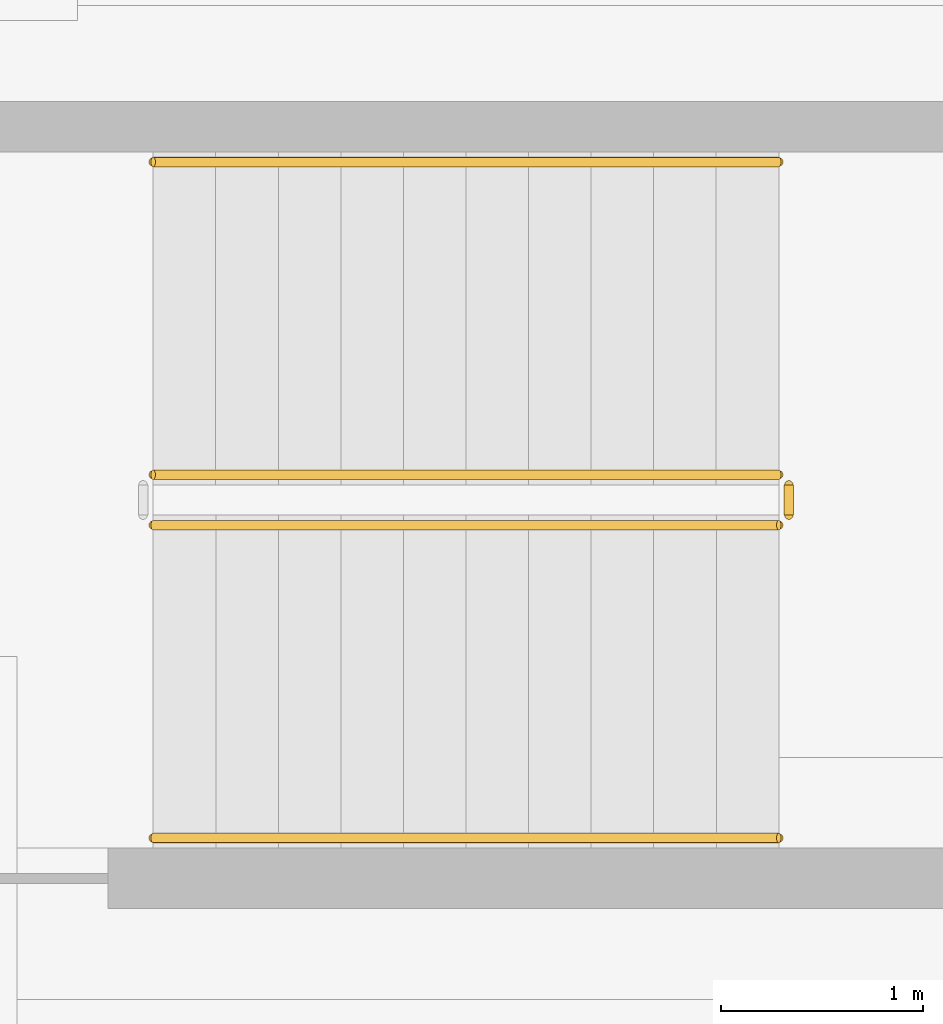
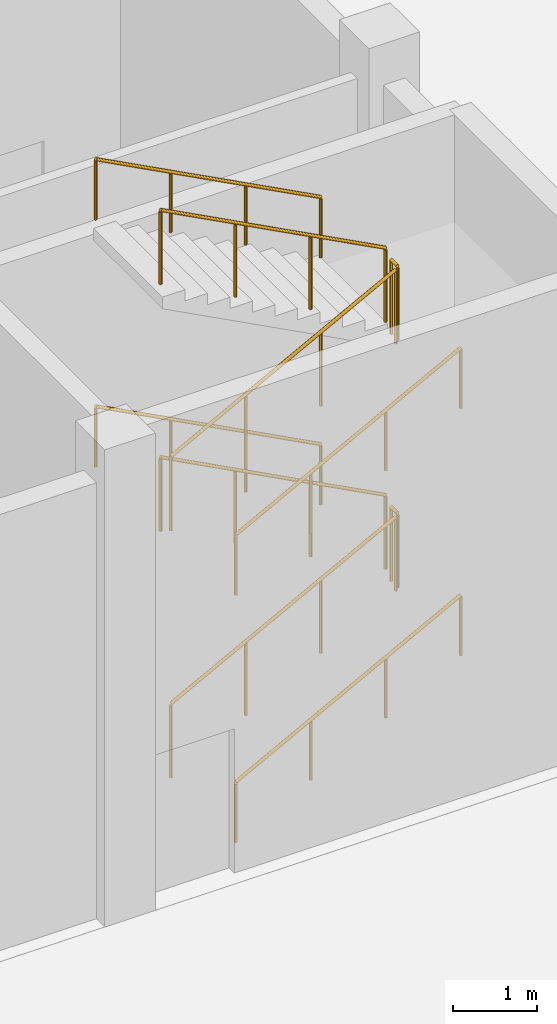
# One storey, part 28 of 30: 10 railings.
"""IFC4 building model written with IfcOpenShell, lengths in metres."""

from ifc_helpers import new_model, si_unit, direction, frame, origin, origin_2d, place, context, subcontext, project, spatial, circle, extrude, material, type_object, element, save


model = new_model("IFC4")

# Units and contexts
model_context = context("Model", 3, precision=1e-05, world=origin(), true_north=direction((0.0, 1.0)))
body_context = subcontext(model_context, "Body", "Model", "MODEL_VIEW")
ifc_project = project(units=[si_unit("LENGTHUNIT", "METRE"), si_unit("AREAUNIT", "SQUARE_METRE"), si_unit("VOLUMEUNIT", "CUBIC_METRE"), si_unit("PLANEANGLEUNIT", "RADIAN"), si_unit("MASSUNIT", "GRAM", prefix="KILO")], contexts=[model_context])

# Site, building, storey
site_placement = place(None, origin())
site = spatial("IfcSite", under=ifc_project, at=site_placement, CompositionType="ELEMENT")
building_placement = place(site_placement, origin())
building = spatial("IfcBuilding", under=site, at=building_placement, Name="Corbel Stack Research Tower", CompositionType="ELEMENT")
storey_placement = place(building_placement, origin())
storey = spatial("IfcBuildingStorey", under=building, at=storey_placement, Name="L00", CompositionType="ELEMENT", Elevation=0.0)

# Railings
ifc_material_1 = material(Name="Steel S235", Category="steel")
railing_type_1 = type_object("IfcRailingType", Name="HR1 guard 1100", PredefinedType="GUARDRAIL", material=ifc_material_1)
railing_1_placement = place(storey_placement, frame((95.47509765625, -21.89990234375, 0.16357421875)))
element("IfcRailing", 1, at=railing_1_placement, inside=storey, type_object=railing_type_1, Name="L00 HS3 stair guard 1", PredefinedType="GUARDRAIL", context=body_context, shape_type="SweptSolid", body=[
    extrude(circle(Radius=0.02392578125, at=origin_2d()), frame((0.0, 0.0, 1.076171875), z_axis=(0.884332836415, 0.0, 0.466856974284), x_axis=(0.0, 1.0, 0.0)), (0.0, 0.0, 1.0), 3.50537109375),
    extrude(circle(Radius=0.02099609375, at=origin_2d()), origin(), (0.0, 0.0, 1.0), 1.052001953125),
    extrude(circle(Radius=0.02099609375, at=origin_2d()), frame((1.033203125, 0.0, 0.54541015625)), (0.0, 0.0, 1.0), 1.052001953125),
    extrude(circle(Radius=0.02099609375, at=origin_2d()), frame((2.066650390625, 0.0, 1.091064453125)), (0.0, 0.0, 1.0), 1.052001953125),
    extrude(circle(Radius=0.02099609375, at=origin_2d()), frame((3.099853515625, 0.0, 1.636474609375)), (0.0, 0.0, 1.0), 1.052001953125),
])
railing_2_placement = place(storey_placement, frame((98.625, -21.85009765625, 1.800048828125)))
element("IfcRailing", 2, at=railing_2_placement, inside=storey, type_object=railing_type_1, Name="L00 HS3 stair guard 2", PredefinedType="GUARDRAIL", context=body_context, shape_type="SweptSolid", body=[
    extrude(circle(Radius=0.02392578125, at=origin_2d()), frame((0.0, 0.0, 1.076171875), z_axis=(0.0, 1.0, 0.0), x_axis=(-1.0, 0.0, 0.0)), (0.0, 0.0, 1.0), 0.150146484375),
    extrude(circle(Radius=0.02099609375, at=origin_2d()), origin(), (0.0, 0.0, 1.0), 1.052001953125),
    extrude(circle(Radius=0.02099609375, at=origin_2d()), frame((0.0, 0.150146484375, 0.0)), (0.0, 0.0, 1.0), 1.052001953125),
])
railing_3_placement = place(storey_placement, frame((98.574951171875, -21.64990234375, 1.963623046875)))
element("IfcRailing", 3, at=railing_3_placement, inside=storey, type_object=railing_type_1, Name="L00 HS3 stair guard 3", PredefinedType="GUARDRAIL", context=body_context, shape_type="SweptSolid", body=[
    extrude(circle(Radius=0.02392578125, at=origin_2d()), frame((0.0, 0.0, 1.076171875), z_axis=(-0.884332836415, 0.0, 0.466856974284), x_axis=(0.0, -1.0, 0.0)), (0.0, 0.0, 1.0), 3.50537109375),
    extrude(circle(Radius=0.02099609375, at=origin_2d()), origin(), (0.0, 0.0, 1.0), 1.052001953125),
    extrude(circle(Radius=0.02099609375, at=origin_2d()), frame((-1.033203125, 0.0, 0.54541015625)), (0.0, 0.0, 1.0), 1.052001953125),
    extrude(circle(Radius=0.02099609375, at=origin_2d()), frame((-2.066650390625, 0.0, 1.091064453125)), (0.0, 0.0, 1.0), 1.052001953125),
    extrude(circle(Radius=0.02099609375, at=origin_2d()), frame((-3.099853515625, 0.0, 1.636474609375)), (0.0, 0.0, 1.0), 1.052001953125),
])
railing_4_placement = place(storey_placement, frame((95.47509765625, -21.89990234375, 3.763671875)))
element("IfcRailing", 4, at=railing_4_placement, inside=storey, type_object=railing_type_1, Name="L00 HS3 stair guard 5", PredefinedType="GUARDRAIL", context=body_context, shape_type="SweptSolid", body=[
    extrude(circle(Radius=0.02392578125, at=origin_2d()), frame((0.0, 0.0, 1.076171875), z_axis=(0.88436159073, 0.0, 0.466802503038), x_axis=(0.0, 1.0, 0.0)), (0.0, 0.0, 1.0), 3.505126953125),
    extrude(circle(Radius=0.02099609375, at=origin_2d()), origin(), (0.0, 0.0, 1.0), 1.052001953125),
    extrude(circle(Radius=0.02099609375, at=origin_2d()), frame((1.033203125, 0.0, 0.54541015625)), (0.0, 0.0, 1.0), 1.052001953125),
    extrude(circle(Radius=0.02099609375, at=origin_2d()), frame((2.066650390625, 0.0, 1.0908203125)), (0.0, 0.0, 1.0), 1.052001953125),
    extrude(circle(Radius=0.02099609375, at=origin_2d()), frame((3.099853515625, 0.0, 1.63623046875)), (0.0, 0.0, 1.0), 1.052001953125),
])
railing_5_placement = place(storey_placement, frame((98.625, -21.85009765625, 5.39990234375)))
element("IfcRailing", 5, at=railing_5_placement, inside=storey, type_object=railing_type_1, Name="L00 HS3 stair guard 6", PredefinedType="GUARDRAIL", context=body_context, shape_type="SweptSolid", body=[
    extrude(circle(Radius=0.02392578125, at=origin_2d()), frame((0.0, 0.0, 1.076171875), z_axis=(0.0, 1.0, 0.0), x_axis=(-1.0, 0.0, 0.0)), (0.0, 0.0, 1.0), 0.150146484375),
    extrude(circle(Radius=0.02099609375, at=origin_2d()), origin(), (0.0, 0.0, 1.0), 1.052001953125),
    extrude(circle(Radius=0.02099609375, at=origin_2d()), frame((0.0, 0.150146484375, 0.0)), (0.0, 0.0, 1.0), 1.052001953125),
])
railing_6_placement = place(storey_placement, frame((98.574951171875, -21.64990234375, 5.563720703125)))
element("IfcRailing", 6, at=railing_6_placement, inside=storey, type_object=railing_type_1, Name="L00 HS3 stair guard 7", PredefinedType="GUARDRAIL", context=body_context, shape_type="SweptSolid", body=[
    extrude(circle(Radius=0.02392578125, at=origin_2d()), frame((0.0, 0.0, 1.076171875), z_axis=(-0.88436159073, 0.0, 0.466802503038), x_axis=(0.0, -1.0, 0.0)), (0.0, 0.0, 1.0), 3.505126953125),
    extrude(circle(Radius=0.02099609375, at=origin_2d()), origin(), (0.0, 0.0, 1.0), 1.052001953125),
    extrude(circle(Radius=0.02099609375, at=origin_2d()), frame((-1.033203125, 0.0, 0.54541015625)), (0.0, 0.0, 1.0), 1.052001953125),
    extrude(circle(Radius=0.02099609375, at=origin_2d()), frame((-2.066650390625, 0.0, 1.0908203125)), (0.0, 0.0, 1.0), 1.052001953125),
    extrude(circle(Radius=0.02099609375, at=origin_2d()), frame((-3.099853515625, 0.0, 1.63623046875)), (0.0, 0.0, 1.0), 1.052001953125),
])
ifc_material_2 = material(Name="Steel S235", Category="steel")
railing_type_2 = type_object("IfcRailingType", Name="HR2 handrail 900", PredefinedType="HANDRAIL", material=ifc_material_2)
railing_7_placement = place(storey_placement, frame((95.47509765625, -23.449951171875, 0.16357421875)))
element("IfcRailing", 7, at=railing_7_placement, inside=storey, type_object=railing_type_2, Name="L00 HS3 stair handrail 1", PredefinedType="HANDRAIL", context=body_context, shape_type="SweptSolid", body=[
    extrude(circle(Radius=0.02392578125, at=origin_2d()), frame((0.0, 0.0, 0.8759765625), z_axis=(0.884332836415, 0.0, 0.466856974284), x_axis=(0.0, 1.0, 0.0)), (0.0, 0.0, 1.0), 3.50537109375),
    extrude(circle(Radius=0.02099609375, at=origin_2d()), origin(), (0.0, 0.0, 1.0), 0.851806640625),
    extrude(circle(Radius=0.02099609375, at=origin_2d()), frame((1.033203125, 0.0, 0.54541015625)), (0.0, 0.0, 1.0), 0.851806640625),
    extrude(circle(Radius=0.02099609375, at=origin_2d()), frame((2.066650390625, 0.0, 1.091064453125)), (0.0, 0.0, 1.0), 0.851806640625),
    extrude(circle(Radius=0.02099609375, at=origin_2d()), frame((3.099853515625, 0.0, 1.636474609375)), (0.0, 0.0, 1.0), 0.851806640625),
])
railing_8_placement = place(storey_placement, frame((98.574951171875, -20.10009765625, 1.963623046875)))
element("IfcRailing", 8, at=railing_8_placement, inside=storey, type_object=railing_type_2, Name="L00 HS3 stair handrail 2", PredefinedType="HANDRAIL", context=body_context, shape_type="SweptSolid", body=[
    extrude(circle(Radius=0.02392578125, at=origin_2d()), frame((0.0, 0.0, 0.8759765625), z_axis=(-0.884332836415, 0.0, 0.466856974284), x_axis=(0.0, -1.0, 0.0)), (0.0, 0.0, 1.0), 3.50537109375),
    extrude(circle(Radius=0.02099609375, at=origin_2d()), origin(), (0.0, 0.0, 1.0), 0.851806640625),
    extrude(circle(Radius=0.02099609375, at=origin_2d()), frame((-1.033203125, 0.0, 0.54541015625)), (0.0, 0.0, 1.0), 0.851806640625),
    extrude(circle(Radius=0.02099609375, at=origin_2d()), frame((-2.066650390625, 0.0, 1.091064453125)), (0.0, 0.0, 1.0), 0.851806640625),
    extrude(circle(Radius=0.02099609375, at=origin_2d()), frame((-3.099853515625, 0.0, 1.636474609375)), (0.0, 0.0, 1.0), 0.851806640625),
])
railing_9_placement = place(storey_placement, frame((95.47509765625, -23.449951171875, 3.763671875)))
element("IfcRailing", 9, at=railing_9_placement, inside=storey, type_object=railing_type_2, Name="L00 HS3 stair handrail 3", PredefinedType="HANDRAIL", context=body_context, shape_type="SweptSolid", body=[
    extrude(circle(Radius=0.02392578125, at=origin_2d()), frame((0.0, 0.0, 0.8759765625), z_axis=(0.88436159073, 0.0, 0.466802503038), x_axis=(0.0, 1.0, 0.0)), (0.0, 0.0, 1.0), 3.505126953125),
    extrude(circle(Radius=0.02099609375, at=origin_2d()), origin(), (0.0, 0.0, 1.0), 0.851806640625),
    extrude(circle(Radius=0.02099609375, at=origin_2d()), frame((1.033203125, 0.0, 0.54541015625)), (0.0, 0.0, 1.0), 0.851806640625),
    extrude(circle(Radius=0.02099609375, at=origin_2d()), frame((2.066650390625, 0.0, 1.0908203125)), (0.0, 0.0, 1.0), 0.851806640625),
    extrude(circle(Radius=0.02099609375, at=origin_2d()), frame((3.099853515625, 0.0, 1.63623046875)), (0.0, 0.0, 1.0), 0.851806640625),
])
railing_10_placement = place(storey_placement, frame((98.574951171875, -20.10009765625, 5.563720703125)))
element("IfcRailing", 10, at=railing_10_placement, inside=storey, type_object=railing_type_2, Name="L00 HS3 stair handrail 4", PredefinedType="HANDRAIL", context=body_context, shape_type="SweptSolid", body=[
    extrude(circle(Radius=0.02392578125, at=origin_2d()), frame((0.0, 0.0, 0.8759765625), z_axis=(-0.88436159073, 0.0, 0.466802503038), x_axis=(0.0, -1.0, 0.0)), (0.0, 0.0, 1.0), 3.505126953125),
    extrude(circle(Radius=0.02099609375, at=origin_2d()), origin(), (0.0, 0.0, 1.0), 0.851806640625),
    extrude(circle(Radius=0.02099609375, at=origin_2d()), frame((-1.033203125, 0.0, 0.54541015625)), (0.0, 0.0, 1.0), 0.851806640625),
    extrude(circle(Radius=0.02099609375, at=origin_2d()), frame((-2.066650390625, 0.0, 1.0908203125)), (0.0, 0.0, 1.0), 0.851806640625),
    extrude(circle(Radius=0.02099609375, at=origin_2d()), frame((-3.099853515625, 0.0, 1.63623046875)), (0.0, 0.0, 1.0), 0.851806640625),
])

save(model, "model.ifc")
